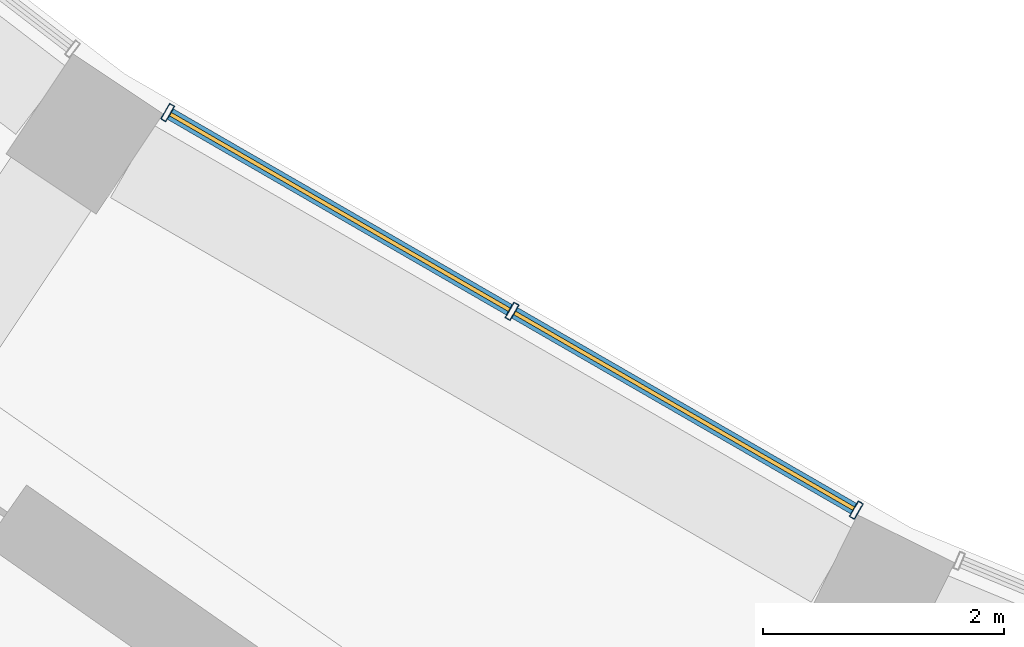
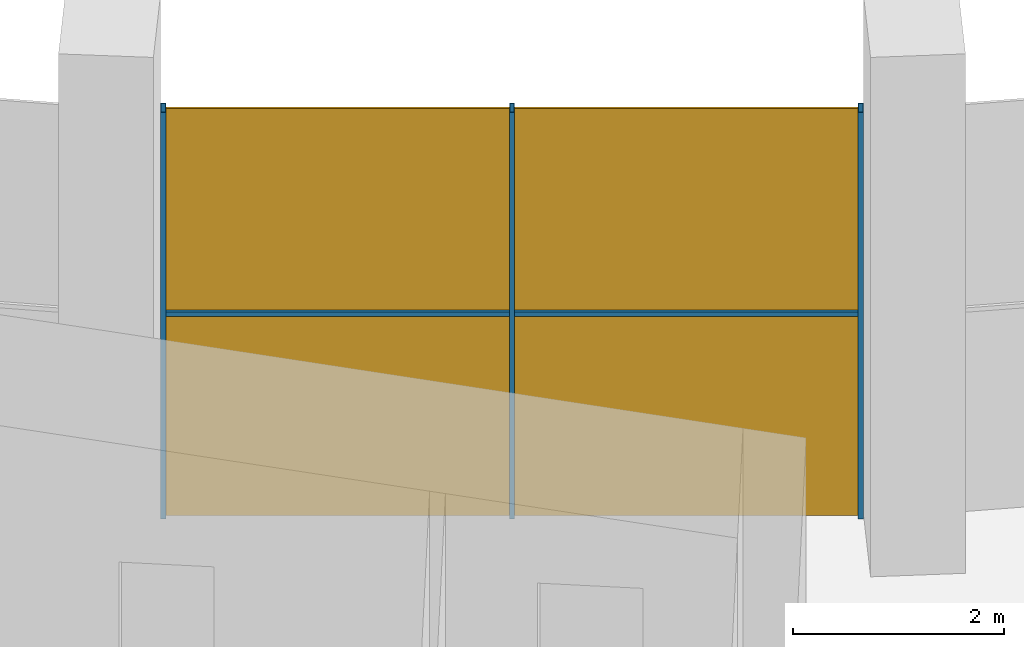
# One storey, part 25 of 41: 5 members, 1 curtain wall.
"""IFC4 building model written with IfcOpenShell, lengths in metres."""

from ifc_helpers import new_model, si_unit, direction, frame, origin, origin_2d, place, context, subcontext, project, spatial, rectangle, hollow_rectangle, extrude, material, material_profile, profile_set, type_object, element, aggregate, save


model = new_model("IFC4")

# Units and contexts
model_context = context("Model", 3, precision=1e-05, world=origin(), true_north=direction((0.0, 1.0)))
body_context = subcontext(model_context, "Body", "Model", "MODEL_VIEW")
ifc_project = project(units=[si_unit("LENGTHUNIT", "METRE"), si_unit("AREAUNIT", "SQUARE_METRE"), si_unit("VOLUMEUNIT", "CUBIC_METRE"), si_unit("PLANEANGLEUNIT", "RADIAN"), si_unit("MASSUNIT", "GRAM", prefix="KILO")], contexts=[model_context])

# Member
ifc_material = material(Name="Steel S355", Category="steel")
ifc_material_profile_1 = material_profile(ifc_material, hollow_rectangle(XDim=0.14990234375, YDim=0.050048828125, WallThickness=0.0048828125, at=origin_2d()))
ifc_profile_set_1 = profile_set([ifc_material_profile_1], Name="Steel S355")
member_type_1 = type_object("IfcMemberType", Name="Mullion RHS 150x50x5 steel S355", PredefinedType="MULLION", material=ifc_profile_set_1)
site_placement = place(None, origin())
building_placement = place(site_placement, origin())
storey_placement = place(building_placement, frame((0.0, 0.0, 284.699951171875)))
member_1_placement = place(storey_placement, frame((-31.671630859375, -48.255859375, 0.0), z_axis=(0.0, 0.0, 1.0), x_axis=(0.5, 0.866025403784, 0.0)))
member_1 = element("IfcMember", 1, at=member_1_placement, type_object=member_type_1, Name="e-cw5-L69-in03/M00", PredefinedType="MULLION", context=body_context, shape_type="SweptSolid", body=[
    extrude(hollow_rectangle(XDim=0.14990234375, YDim=0.050048828125, WallThickness=0.0048828125, at=origin_2d()), origin(), (0.0, 0.0, 1.0), 4.699951171875),
])

member_2_placement = place(storey_placement, frame((-28.813232421875, -49.906005859375, 0.0), z_axis=(0.0, 0.0, 1.0), x_axis=(0.5, 0.866025403784, 0.0)))
member_2 = element("IfcMember", 2, at=member_2_placement, type_object=member_type_1, Name="e-cw5-L69-in03/M01", PredefinedType="MULLION", context=body_context, shape_type="SweptSolid", body=[
    extrude(hollow_rectangle(XDim=0.14990234375, YDim=0.050048828125, WallThickness=0.0048828125, at=origin_2d()), origin(), (0.0, 0.0, 1.0), 4.699951171875),
])

member_3_placement = place(storey_placement, frame((-25.955078125, -51.556396484375, 0.0), z_axis=(0.0, 0.0, 1.0), x_axis=(0.5, 0.866025403784, 0.0)))
member_3 = element("IfcMember", 3, at=member_3_placement, type_object=member_type_1, Name="e-cw5-L69-in03/M02", PredefinedType="MULLION", context=body_context, shape_type="SweptSolid", body=[
    extrude(hollow_rectangle(XDim=0.14990234375, YDim=0.050048828125, WallThickness=0.0048828125, at=origin_2d()), origin(), (0.0, 0.0, 1.0), 4.699951171875),
])

ifc_material_profile_2 = material_profile(ifc_material, hollow_rectangle(XDim=0.10009765625, YDim=0.050048828125, WallThickness=0.00390625, at=origin_2d()))
ifc_profile_set_2 = profile_set([ifc_material_profile_2], Name="Steel S355")
member_type_2 = type_object("IfcMemberType", Name="Transom RHS 100x50x4 steel S355", PredefinedType="USERDEFINED", material=ifc_profile_set_2)
member_4_placement = place(storey_placement, frame((-31.64990234375, -48.268310546875, 2.35009765625), z_axis=(0.866020479782, -0.500008528526, 0.0), x_axis=(0.500008528526, 0.866020479782, 0.0)))
member_4 = element("IfcMember", 4, at=member_4_placement, type_object=member_type_2, Name="e-cw5-L69-in03/T00", ObjectType="TRANSOM", PredefinedType="USERDEFINED", context=body_context, shape_type="SweptSolid", body=[
    extrude(hollow_rectangle(XDim=0.10009765625, YDim=0.050048828125, WallThickness=0.00390625, at=origin_2d()), origin(), (0.0, 0.0, 1.0), 3.25048828125),
])

member_5_placement = place(storey_placement, frame((-28.791748046875, -49.91845703125, 2.35009765625), z_axis=(0.866039256137, -0.499976006253, 0.0), x_axis=(0.499976006253, 0.866039256137, 0.0)))
member_5 = element("IfcMember", 5, at=member_5_placement, type_object=member_type_2, Name="e-cw5-L69-in03/T01", ObjectType="TRANSOM", PredefinedType="USERDEFINED", context=body_context, shape_type="SweptSolid", body=[
    extrude(hollow_rectangle(XDim=0.10009765625, YDim=0.050048828125, WallThickness=0.00390625, at=origin_2d()), origin(), (0.0, 0.0, 1.0), 3.250732421875),
])

# Site, building, storey
site = spatial("IfcSite", under=ifc_project, at=site_placement, CompositionType="ELEMENT")
building = spatial("IfcBuilding", under=site, at=building_placement, Name="Qamariyya Broadcast Tower", CompositionType="ELEMENT")
storey = spatial("IfcBuildingStorey", under=building, at=storey_placement, Name="L69", CompositionType="ELEMENT", Elevation=284.699951171875)

# Curtain wall
curtain_wall_type = type_object("IfcCurtainWallType", Name="Observation gallery all-glass wall, steel mullions", PredefinedType="NOTDEFINED", material=ifc_material)
curtain_wall_placement = place(storey_placement, origin())
curtain_wall = element("IfcCurtainWall", 6, at=curtain_wall_placement, inside=storey, type_object=curtain_wall_type, Name="e-cw5-L69-in03", PredefinedType="NOTDEFINED", context=body_context, shape_type="SweptSolid", body=[
    extrude(rectangle(XDim=3.25048828125, YDim=0.031982421875, at=origin_2d()), frame((-30.242431640625, -49.0810546875, 0.0), x_axis=(0.866032157366, -0.499988302271, 0.0)), (0.0, 0.0, 1.0), 2.324951171875),
    extrude(rectangle(XDim=3.25048828125, YDim=0.031982421875, at=origin_2d()), frame((-30.242431640625, -49.0810546875, 2.375), x_axis=(0.866032157366, -0.499988302271, 0.0)), (0.0, 0.0, 1.0), 2.324951171875),
    extrude(rectangle(XDim=3.25048828125, YDim=0.031982421875, at=origin_2d()), frame((-27.38427734375, -50.731201171875, 0.0), x_axis=(0.866032157366, -0.499988302271, 0.0)), (0.0, 0.0, 1.0), 2.324951171875),
    extrude(rectangle(XDim=3.25048828125, YDim=0.031982421875, at=origin_2d()), frame((-27.38427734375, -50.731201171875, 2.375), x_axis=(0.866032157366, -0.499988302271, 0.0)), (0.0, 0.0, 1.0), 2.324951171875),
])

aggregate(curtain_wall, [member_1, member_2, member_3, member_4, member_5])

save(model, "model.ifc")
